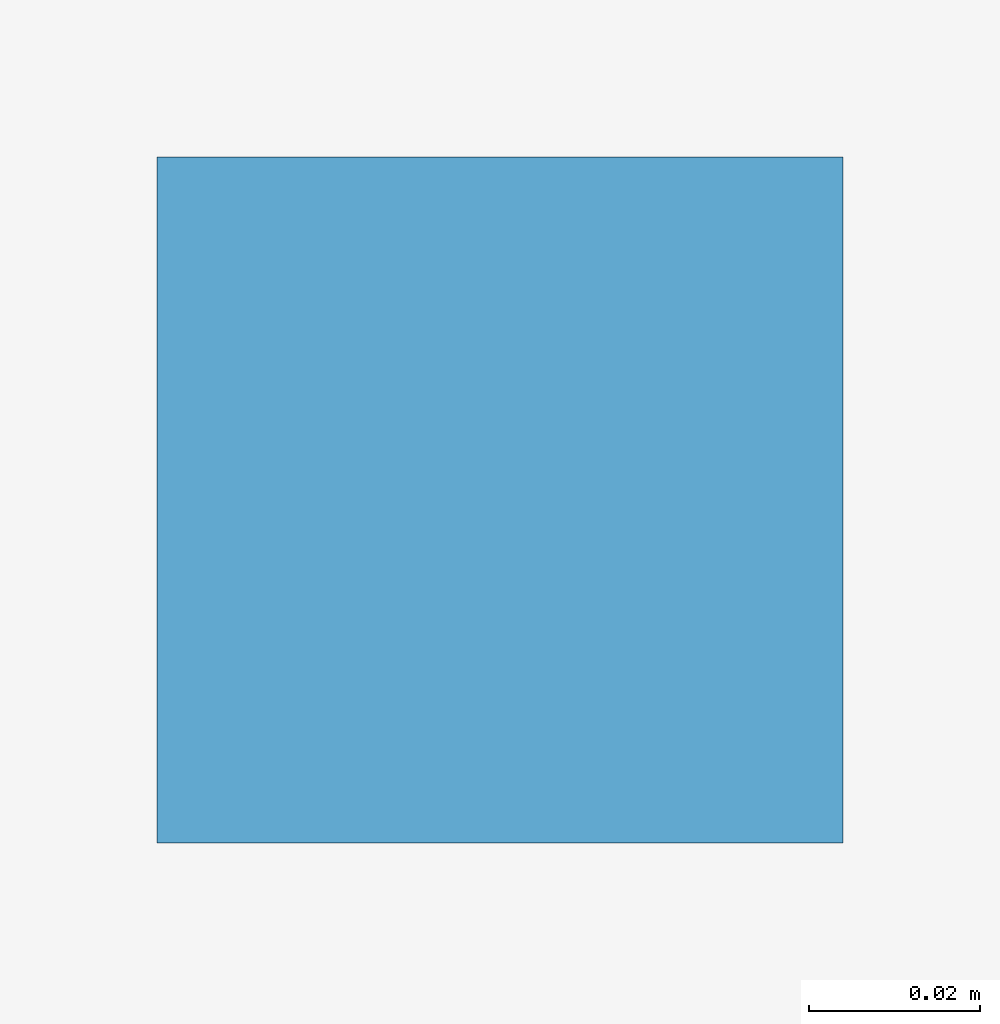
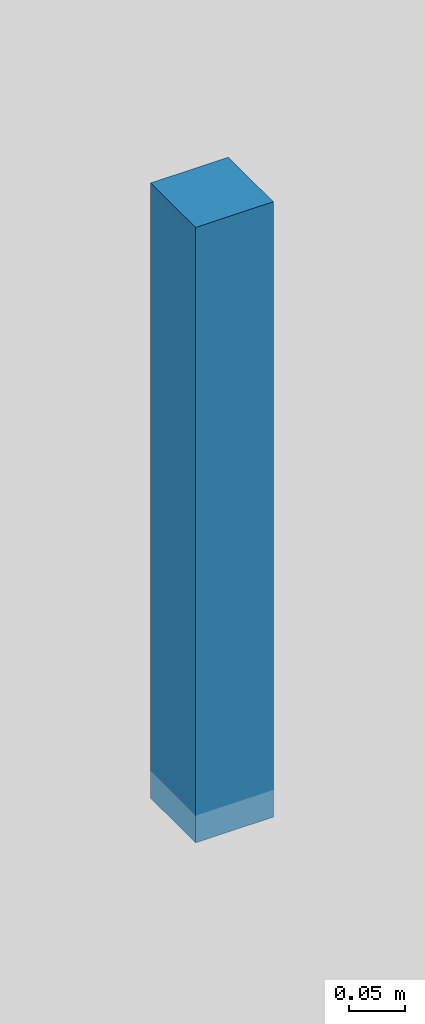
# One storey, part 11 of 16: 1 discrete accessory.
"""IFC4 building model written with IfcOpenShell, lengths in metres."""

from ifc_helpers import new_model, si_unit, direction, frame, origin, origin_2d, place, context, subcontext, project, spatial, rectangle, extrude, source, transform, mapped, material, type_object, element, save


model = new_model("IFC4")

# Units and contexts
model_context = context("Model", 3, precision=1e-05, world=origin(), true_north=direction((0.0, 1.0)))
body_context = subcontext(model_context, "Body", "Model", "MODEL_VIEW")
ifc_project = project(units=[si_unit("LENGTHUNIT", "METRE"), si_unit("AREAUNIT", "SQUARE_METRE"), si_unit("VOLUMEUNIT", "CUBIC_METRE"), si_unit("PLANEANGLEUNIT", "RADIAN"), si_unit("MASSUNIT", "GRAM", prefix="KILO")], contexts=[model_context])

# Site, building, storey
site_placement = place(None, origin())
site = spatial("IfcSite", under=ifc_project, at=site_placement, CompositionType="ELEMENT")
building_placement = place(site_placement, origin())
building = spatial("IfcBuilding", under=site, at=building_placement, Name="Giltprow Tower", CompositionType="ELEMENT")
storey_placement = place(building_placement, frame((0.0, 0.0, 159.699951171875)))
storey = spatial("IfcBuildingStorey", under=building, at=storey_placement, Name="L39", CompositionType="ELEMENT", Elevation=159.699951171875)

# Discrete accessory
ifc_material = material(Name="Structural steel Q355B", Category="steel")
discrete_accessory_type = type_object("IfcDiscreteAccessoryType", Name="ACC-CLG-HANGER", PredefinedType="BRACKET", material=ifc_material)
shared_shape = source(origin(), body_context, "Body", "SweptSolid", [
    extrude(rectangle(XDim=0.080078125, YDim=0.080078125, at=origin_2d()), origin(), (0.0, 0.0, 1.0), 0.669921875),
])
discrete_accessory_placement = place(storey_placement, frame((35.0, 35.550048828125, 2.6201171875), z_axis=(0.0, 0.0, 1.0), x_axis=(1.0, 0.0, 0.0)))
element("IfcDiscreteAccessory", 1, at=discrete_accessory_placement, inside=storey, type_object=discrete_accessory_type, Name="L39 Hotel Corridor Gypsum Ceiling Suspension Hanger", PredefinedType="BRACKET", context=body_context, shape_type="MappedRepresentation", body=[
    mapped(shared_shape, transform((0.0, 0.0, 0.0), x_axis=(1.0, 0.0, 0.0), y_axis=(0.0, 1.0, 0.0), z_axis=(0.0, 0.0, 1.0), scale=1.0)),
])

save(model, "model.ifc")
